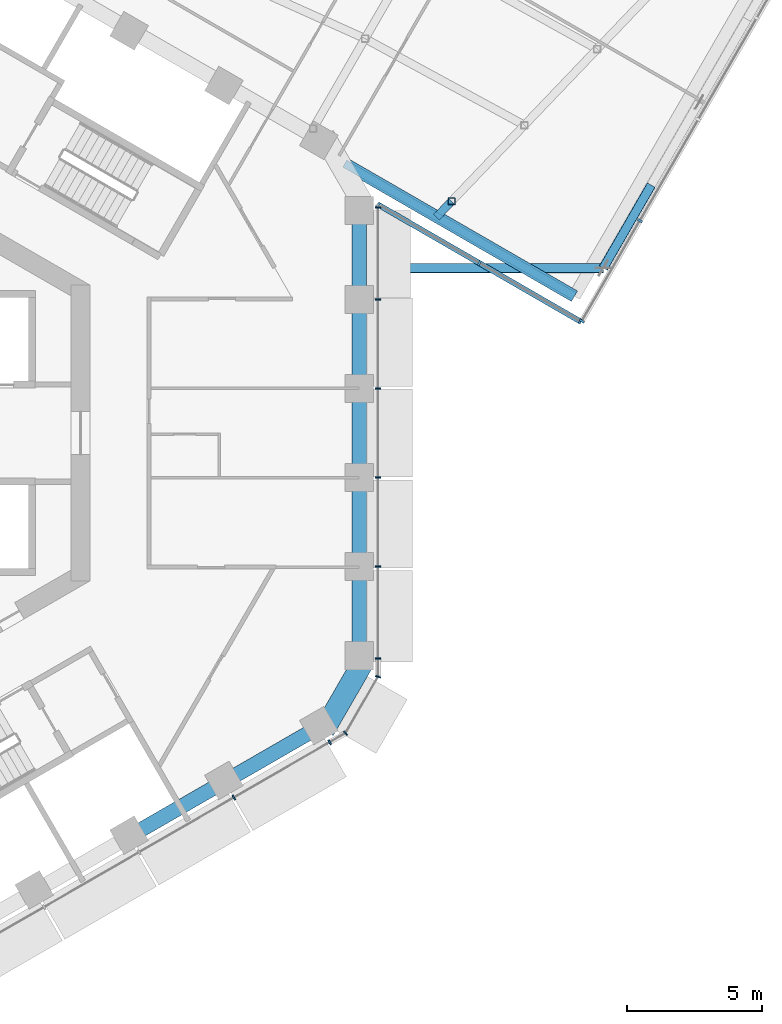
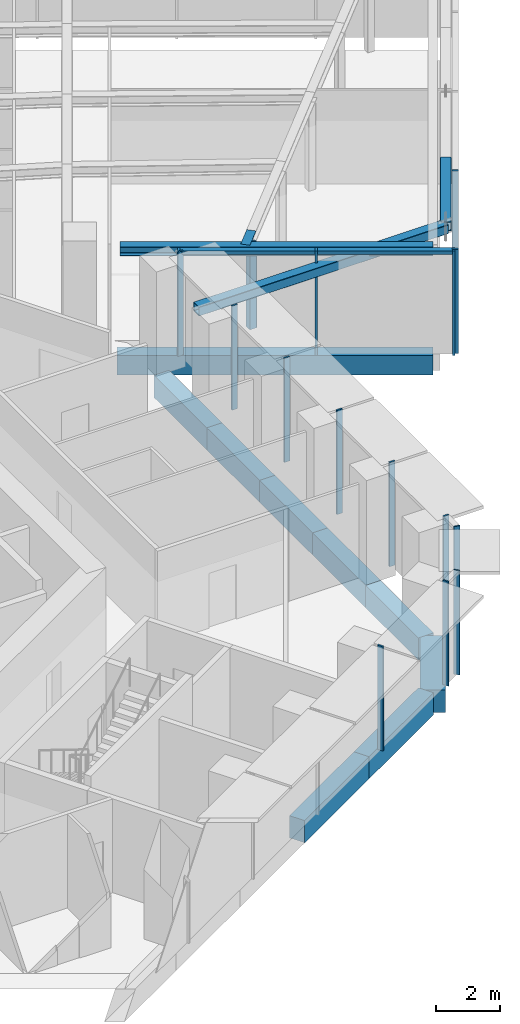
# One storey, part 4 of 28: 19 members, 11 beams, 5 elements without a shape of their own.
"""IFC4 building model written with IfcOpenShell, lengths in metres."""

from ifc_helpers import new_model, si_unit, direction, frame, origin, origin_2d, place, context, subcontext, project, spatial, rectangle, hollow_rectangle, i_section, extrude, material, layer, layer_set, material_profile, profile_set, type_object, element, aggregate, save


model = new_model("IFC4")

# Units and contexts
model_context = context("Model", 3, precision=1e-05, world=origin(), true_north=direction((0.0, 1.0)))
body_context = subcontext(model_context, "Body", "Model", "MODEL_VIEW")
ifc_project = project(units=[si_unit("LENGTHUNIT", "METRE"), si_unit("AREAUNIT", "SQUARE_METRE"), si_unit("VOLUMEUNIT", "CUBIC_METRE"), si_unit("PLANEANGLEUNIT", "RADIAN"), si_unit("MASSUNIT", "GRAM", prefix="KILO")], contexts=[model_context])

# Site, building, storey
site_placement = place(None, origin())
site = spatial("IfcSite", under=ifc_project, at=site_placement, CompositionType="ELEMENT")
building_placement = place(site_placement, origin())
building = spatial("IfcBuilding", under=site, at=building_placement, Name="Ayvan Gate Tower", CompositionType="ELEMENT")
storey_placement = place(building_placement, frame((0.0, 0.0, 143.89990234375)))
storey = spatial("IfcBuildingStorey", under=building, at=storey_placement, Name="L38", CompositionType="ELEMENT", Elevation=143.89990234375)

# Beams
ifc_material_1 = material(Name="Concrete C40/50", Category="concrete")
ifc_material_profile_1 = material_profile(ifc_material_1, rectangle(XDim=0.800048828125, YDim=0.85009765625, at=origin_2d()), Name="RC 800x850")
ifc_profile_set_1 = profile_set([ifc_material_profile_1], Name="Concrete C40/50")
beam_type_1 = type_object("IfcBeamType", Name="Corner spandrel beam RC 800x850 C40/50", PredefinedType="BEAM", material=ifc_profile_set_1)
beam_1_placement = place(storey_placement, frame((18.176025390625, -11.01708984375, -0.824951171875), z_axis=(0.50002537861, 0.866010750942, 0.0), x_axis=(-0.866010750942, 0.50002537861, 0.0)))
element("IfcBeam", 1, at=beam_1_placement, inside=storey, type_object=beam_type_1, Name="SB-L38-36", PredefinedType="BEAM", context=body_context, shape_type="SweptSolid", body=[
    extrude(rectangle(XDim=0.800048828125, YDim=0.85009765625, at=origin_2d()), origin(), (0.0, 0.0, 1.0), 2.999755859375),
])
ifc_material_profile_2 = material_profile(ifc_material_1, rectangle(XDim=0.449951171875, YDim=0.75, at=origin_2d()), Name="RC 450x750")
ifc_profile_set_2 = profile_set([ifc_material_profile_2], Name="Concrete C40/50")
beam_type_2 = type_object("IfcBeamType", Name="Sky bar edge beam RC 450x750 C40/50", PredefinedType="BEAM", material=ifc_profile_set_2)
beam_2_placement = place(storey_placement, frame((27.465087890625, 5.071044921875, -0.77490234375), z_axis=(-0.866025376346, 0.500000047525, 0.0), x_axis=(-0.500000047525, -0.866025376346, 0.0)))
element("IfcBeam", 2, at=beam_2_placement, inside=storey, type_object=beam_type_2, Name="EB-B3-L38-9", PredefinedType="BEAM", context=body_context, shape_type="SweptSolid", body=[
    extrude(rectangle(XDim=0.449951171875, YDim=0.75, at=origin_2d()), origin(), (0.0, 0.0, 1.0), 9.92236328125),
])
ifc_material_2 = material(Name="Steel S460ML", Category="steel")
ifc_material_profile_3 = material_profile(ifc_material_2, i_section(OverallWidth=0.300048828125, OverallDepth=0.39990234375, WebThickness=0.013427734375, FlangeThickness=0.02392578125, FilletRadius=0.027099609375, at=origin_2d()), Name="HE 400 B")
ifc_profile_set_3 = profile_set([ifc_material_profile_3], Name="Steel S460ML")
beam_type_3 = type_object("IfcBeamType", Name="Sky bar roof beam B3 HE 400 B", PredefinedType="BEAM", material=ifc_profile_set_3)
beam_3_placement = place(storey_placement, frame((22.34716796875, 8.0029296875, 3.5), z_axis=(0.691161263928, 0.722700565411, 0.0), x_axis=(-0.722700565411, 0.691161263928, 0.0)))
element("IfcBeam", 3, at=beam_3_placement, inside=storey, type_object=beam_type_3, Name="RB-B3-SBT3-1-1", PredefinedType="BEAM", context=body_context, shape_type="SweptSolid", body=[
    extrude(i_section(OverallWidth=0.300048828125, OverallDepth=0.39990234375, WebThickness=0.013427734375, FlangeThickness=0.02392578125, FilletRadius=0.027099609375, at=origin_2d()), origin(), (0.0, 0.0, 1.0), 0.812744140625),
])
ifc_material_profile_4 = material_profile(ifc_material_2, i_section(OverallWidth=0.300048828125, OverallDepth=0.340087890625, WebThickness=0.011962890625, FlangeThickness=0.021484375, FilletRadius=0.027099609375, at=origin_2d()), Name="HE 340 B")
ifc_profile_set_4 = profile_set([ifc_material_profile_4], Name="Steel S460ML")
beam_type_4 = type_object("IfcBeamType", Name="Sky bar roof edge beam B3 HE 340 B", PredefinedType="BEAM", material=ifc_profile_set_4)
beam_4_placement = place(storey_placement, frame((27.465087890625, 5.071044921875, 3.530029296875), z_axis=(-0.866026823819, 0.499997540419, 0.0), x_axis=(-0.499997540419, -0.866026823819, 0.0)))
element("IfcBeam", 4, at=beam_4_placement, inside=storey, type_object=beam_type_4, Name="RE-B3-1-5", PredefinedType="BEAM", context=body_context, shape_type="SweptSolid", body=[
    extrude(i_section(OverallWidth=0.300048828125, OverallDepth=0.340087890625, WebThickness=0.011962890625, FlangeThickness=0.021484375, FilletRadius=0.027099609375, at=origin_2d()), origin(), (0.0, 0.0, 1.0), 9.83349609375),
])

# Members
ifc_material_3 = material(Name="Steel S460NH", Category="steel")
ifc_material_profile_5 = material_profile(ifc_material_3, hollow_rectangle(XDim=0.260009765625, YDim=0.260009765625, WallThickness=0.012451171875, InnerFilletRadius=0.012451171875, OuterFilletRadius=0.018798828125, at=origin_2d()), Name="RHS 260x260x12.5")
ifc_profile_set_5 = profile_set([ifc_material_profile_5], Name="Steel S460NH")
member_type_1 = type_object("IfcMemberType", Name="Sky bar roof post B3 RHS 260x260x12.5", PredefinedType="POST", material=ifc_profile_set_5)
member_1_placement = place(storey_placement, frame((22.908935546875, 8.59033203125, 0.0), z_axis=(0.0, 0.0, 1.0), x_axis=(1.0, 0.0, 0.0)))
element("IfcMember", 5, at=member_1_placement, inside=storey, type_object=member_type_1, Name="RP-B3-SBT3-1-1", PredefinedType="POST", context=body_context, shape_type="SweptSolid", body=[
    extrude(hollow_rectangle(XDim=0.260009765625, YDim=0.260009765625, WallThickness=0.012451171875, InnerFilletRadius=0.012451171875, OuterFilletRadius=0.018798828125, at=origin_2d()), origin(), (0.0, 0.0, 1.0), 3.300048828125),
])
ifc_material_profile_6 = material_profile(ifc_material_3, hollow_rectangle(XDim=0.35009765625, YDim=0.35009765625, WallThickness=0.01611328125, InnerFilletRadius=0.01611328125, OuterFilletRadius=0.02392578125, at=origin_2d()), Name="RHS 350x350x16")
ifc_profile_set_6 = profile_set([ifc_material_profile_6], Name="Steel S460NH")
member_type_2 = type_object("IfcMemberType", Name="Sky bar truss brace B3 RHS 350x350x16", PredefinedType="BRACE", material=ifc_profile_set_6)
member_2_placement = place(storey_placement, frame((19.485595703125, 6.115478515625, 3.375), z_axis=(1.0, 0.0, 0.0), x_axis=(0.0, 1.0, 0.0)))
element("IfcMember", 6, at=member_2_placement, inside=storey, type_object=member_type_2, Name="SBX3-B-TC-1", PredefinedType="CHORD", context=body_context, shape_type="SweptSolid", body=[
    extrude(hollow_rectangle(XDim=0.35009765625, YDim=0.35009765625, WallThickness=0.01611328125, InnerFilletRadius=0.01611328125, OuterFilletRadius=0.02392578125, at=origin_2d()), origin(), (0.0, 0.0, 1.0), 9.050048828125),
])
member_3_placement = place(storey_placement, frame((28.53564453125, 6.115478515625, 3.375), z_axis=(0.500051858269, 0.865995461329, 0.0), x_axis=(-0.865995461329, 0.500051858269, 0.0)))
element("IfcMember", 7, at=member_3_placement, inside=storey, type_object=member_type_2, Name="SBX3-B-TC-2", PredefinedType="CHORD", context=body_context, shape_type="SweptSolid", body=[
    extrude(hollow_rectangle(XDim=0.35009765625, YDim=0.35009765625, WallThickness=0.01611328125, InnerFilletRadius=0.01611328125, OuterFilletRadius=0.02392578125, at=origin_2d()), origin(), (0.0, 0.0, 1.0), 3.5498046875),
])

# Beams
ifc_material_profile_7 = material_profile(ifc_material_1, rectangle(XDim=0.550048828125, YDim=0.85009765625, at=origin_2d()), Name="RC 550x850")
ifc_profile_set_7 = profile_set([ifc_material_profile_7], Name="Concrete C40/50")
beam_type_5 = type_object("IfcBeamType", Name="Spandrel beam RC 550x850 C40/50", PredefinedType="BEAM", material=ifc_profile_set_7)
beam_5_placement = place(storey_placement, frame((19.485595703125, -8.30908203125, -0.824951171875), z_axis=(0.0, 1.0, 0.0), x_axis=(-1.0, 0.0, 0.0)))
element("IfcBeam", 8, at=beam_5_placement, inside=storey, type_object=beam_type_5, Name="SB-L38-1", PredefinedType="BEAM", context=body_context, shape_type="SweptSolid", body=[
    extrude(rectangle(XDim=0.550048828125, YDim=0.85009765625, at=origin_2d()), origin(), (0.0, 0.0, 1.0), 3.323486328125),
])
for number, where, z_axis, x_axis, name in (
    (9, (19.485595703125, -4.985595703125, -0.824951171875), (0.0, 1.0, 0.0), (-1.0, 0.0, 0.0), "SB-L38-2"),
    (10, (19.485595703125, -1.661865234375, -0.824951171875), (0.0, 1.0, 0.0), (-1.0, 0.0, 0.0), "SB-L38-3"),
    (11, (19.485595703125, 1.661865234375, -0.824951171875), (0.0, 1.0, 0.0), (-1.0, 0.0, 0.0), "SB-L38-4"),
):
    element("IfcBeam", number, at=place(storey_placement, frame(where, z_axis=z_axis, x_axis=x_axis)), inside=storey, type_object=beam_type_5, Name=name, PredefinedType="BEAM", context=body_context, shape_type="SweptSolid", body=[
        extrude(rectangle(XDim=0.550048828125, YDim=0.85009765625, at=origin_2d()), origin(), (0.0, 0.0, 1.0), 3.32373046875),
    ])
beam_6_placement = place(storey_placement, frame((19.485595703125, 4.985595703125, -0.824951171875), z_axis=(0.0, 1.0, 0.0), x_axis=(-1.0, 0.0, 0.0)))
element("IfcBeam", 12, at=beam_6_placement, inside=storey, type_object=beam_type_5, Name="SB-L38-5", PredefinedType="BEAM", context=body_context, shape_type="SweptSolid", body=[
    extrude(rectangle(XDim=0.550048828125, YDim=0.85009765625, at=origin_2d()), origin(), (0.0, 0.0, 1.0), 3.323486328125),
])
beam_7_placement = place(storey_placement, frame((10.97265625, -14.9560546875, -0.824951171875), z_axis=(0.866022911947, 0.500004315964, 0.0), x_axis=(-0.500004315964, 0.866022911947, 0.0)))
element("IfcBeam", 13, at=beam_7_placement, inside=storey, type_object=beam_type_5, Name="SB-L38-34", PredefinedType="BEAM", context=body_context, shape_type="SweptSolid", body=[
    extrude(rectangle(XDim=0.550048828125, YDim=0.85009765625, at=origin_2d()), origin(), (0.0, 0.0, 1.0), 4.048828125),
])
beam_8_placement = place(storey_placement, frame((14.47900390625, -12.931640625, -0.824951171875), z_axis=(0.866037985928, 0.499978206455, 0.0), x_axis=(-0.499978206455, 0.866037985928, 0.0)))
element("IfcBeam", 14, at=beam_8_placement, inside=storey, type_object=beam_type_5, Name="SB-L38-35", PredefinedType="BEAM", context=body_context, shape_type="SweptSolid", body=[
    extrude(rectangle(XDim=0.550048828125, YDim=0.85009765625, at=origin_2d()), origin(), (0.0, 0.0, 1.0), 4.049072265625),
])

# Curtain wall, members
ifc_material_4 = material(Name="Bronze anodised aluminium", Category="aluminium")
ifc_layer_1 = layer(ifc_material_4, 0.199951171875)
ifc_layer_set_1 = layer_set([ifc_layer_1], Name="Bronze anodised aluminium")
curtain_wall_type_1 = type_object("IfcCurtainWallType", Name="Stick curtain wall CW-1", PredefinedType="NOTDEFINED", material=ifc_layer_set_1)
curtain_wall_1_placement = place(storey_placement, origin())
curtain_wall_1 = element("IfcCurtainWall", 15, at=curtain_wall_1_placement, inside=storey, type_object=curtain_wall_type_1, Name="Stick curtain wall CW-1 L38", PredefinedType="NOTDEFINED")
ifc_material_profile_8 = material_profile(ifc_material_4, rectangle(XDim=0.199951171875, YDim=0.06005859375, at=origin_2d()), Name="Stick curtain wall CW-1 mullion 200 x 60")
ifc_profile_set_8 = profile_set([ifc_material_profile_8], Name="Bronze anodised aluminium")
member_type_3 = type_object("IfcMemberType", Name="Stick curtain wall CW-1 mullion 200 x 60", PredefinedType="MULLION", material=ifc_profile_set_8)
member_4_placement = place(storey_placement, frame((14.83642578125, -13.51708984375, 0.0), z_axis=(0.0, 0.0, 1.0), x_axis=(0.5, -0.866025403784, 0.0)))
member_4 = element("IfcMember", 16, at=member_4_placement, type_object=member_type_3, Name="CW-1 mullion 5", PredefinedType="MULLION", context=body_context, shape_type="SweptSolid", body=[
    extrude(rectangle(XDim=0.199951171875, YDim=0.06005859375, at=origin_2d()), origin(), (0.0, 0.0, 1.0), 4.0),
])
member_5_placement = place(storey_placement, frame((18.389404296875, -11.4658203125, 0.0), z_axis=(0.0, 0.0, 1.0), x_axis=(0.5, -0.866025403784, 0.0)))
member_5 = element("IfcMember", 17, at=member_5_placement, type_object=member_type_3, Name="CW-1 mullion 6", PredefinedType="MULLION", context=body_context, shape_type="SweptSolid", body=[
    extrude(rectangle(XDim=0.199951171875, YDim=0.06005859375, at=origin_2d()), origin(), (0.0, 0.0, 1.0), 4.0),
])
aggregate(curtain_wall_1, [member_4, member_5])

curtain_wall_2_placement = place(storey_placement, origin())
curtain_wall_2 = element("IfcCurtainWall", 18, at=curtain_wall_2_placement, inside=storey, type_object=curtain_wall_type_1, Name="Stick curtain wall CW-1 L38", PredefinedType="NOTDEFINED")
member_6_placement = place(storey_placement, frame((20.185546875, -8.354736328125, 0.0), z_axis=(0.0, 0.0, 1.0), x_axis=(1.0, 0.0, 0.0)))
member_6 = element("IfcMember", 19, at=member_6_placement, type_object=member_type_3, Name="CW-1 mullion 1", PredefinedType="MULLION", context=body_context, shape_type="SweptSolid", body=[
    extrude(rectangle(XDim=0.199951171875, YDim=0.06005859375, at=origin_2d()), origin(), (0.0, 0.0, 1.0), 4.0),
])
member_7_placement = place(storey_placement, frame((20.185546875, -4.95166015625, 0.0), z_axis=(0.0, 0.0, 1.0), x_axis=(1.0, 0.0, 0.0)))
member_7 = element("IfcMember", 20, at=member_7_placement, type_object=member_type_3, Name="CW-1 mullion 2", PredefinedType="MULLION", context=body_context, shape_type="SweptSolid", body=[
    extrude(rectangle(XDim=0.199951171875, YDim=0.06005859375, at=origin_2d()), origin(), (0.0, 0.0, 1.0), 4.0),
])
member_8_placement = place(storey_placement, frame((20.185546875, -1.650634765625, 0.0), z_axis=(0.0, 0.0, 1.0), x_axis=(1.0, 0.0, 0.0)))
member_8 = element("IfcMember", 21, at=member_8_placement, type_object=member_type_3, Name="CW-1 mullion 3", PredefinedType="MULLION", context=body_context, shape_type="SweptSolid", body=[
    extrude(rectangle(XDim=0.199951171875, YDim=0.06005859375, at=origin_2d()), origin(), (0.0, 0.0, 1.0), 4.0),
])
member_9_placement = place(storey_placement, frame((20.185546875, 1.650390625, 0.0), z_axis=(0.0, 0.0, 1.0), x_axis=(1.0, 0.0, 0.0)))
member_9 = element("IfcMember", 22, at=member_9_placement, type_object=member_type_3, Name="CW-1 mullion 4", PredefinedType="MULLION", context=body_context, shape_type="SweptSolid", body=[
    extrude(rectangle(XDim=0.199951171875, YDim=0.06005859375, at=origin_2d()), origin(), (0.0, 0.0, 1.0), 4.0),
])
member_10_placement = place(storey_placement, frame((20.185546875, 4.951416015625, 0.0), z_axis=(0.0, 0.0, 1.0), x_axis=(1.0, 0.0, 0.0)))
member_10 = element("IfcMember", 23, at=member_10_placement, type_object=member_type_3, Name="CW-1 mullion 5", PredefinedType="MULLION", context=body_context, shape_type="SweptSolid", body=[
    extrude(rectangle(XDim=0.199951171875, YDim=0.06005859375, at=origin_2d()), origin(), (0.0, 0.0, 1.0), 4.0),
])
member_11_placement = place(storey_placement, frame((20.185546875, 8.354736328125, 0.0), z_axis=(0.0, 0.0, 1.0), x_axis=(1.0, 0.0, 0.0)))
member_11 = element("IfcMember", 24, at=member_11_placement, type_object=member_type_3, Name="CW-1 mullion 6", PredefinedType="MULLION", context=body_context, shape_type="SweptSolid", body=[
    extrude(rectangle(XDim=0.199951171875, YDim=0.06005859375, at=origin_2d()), origin(), (0.0, 0.0, 1.0), 4.0),
])
aggregate(curtain_wall_2, [member_6, member_7, member_8, member_9, member_10, member_11])

ifc_layer_2 = layer(ifc_material_4, 0.199951171875)
ifc_layer_set_2 = layer_set([ifc_layer_2], Name="Bronze anodised aluminium")
curtain_wall_type_2 = type_object("IfcCurtainWallType", Name="Stick curtain wall CW-4", PredefinedType="NOTDEFINED", material=ifc_layer_set_2)
curtain_wall_3_placement = place(storey_placement, origin())
curtain_wall_3 = element("IfcCurtainWall", 25, at=curtain_wall_3_placement, inside=storey, type_object=curtain_wall_type_2, Name="Stick curtain wall CW-4 L38", PredefinedType="NOTDEFINED")
ifc_material_profile_9 = material_profile(ifc_material_4, rectangle(XDim=0.199951171875, YDim=0.080078125, at=origin_2d()), Name="Stick curtain wall CW-4 mullion 200 x 80")
ifc_profile_set_9 = profile_set([ifc_material_profile_9], Name="Bronze anodised aluminium")
member_type_4 = type_object("IfcMemberType", Name="Stick curtain wall CW-4 mullion 200 x 80", PredefinedType="MULLION", material=ifc_profile_set_9)
member_12_placement = place(storey_placement, frame((20.194580078125, 8.46044921875, 0.0), z_axis=(0.0, 0.0, 1.0), x_axis=(-0.5, -0.866025403784, 0.0)))
member_12 = element("IfcMember", 26, at=member_12_placement, type_object=member_type_4, Name="CW-4 mullion 1", PredefinedType="MULLION", context=body_context, shape_type="SweptSolid", body=[
    extrude(rectangle(XDim=0.199951171875, YDim=0.080078125, at=origin_2d()), origin(), (0.0, 0.0, 1.0), 4.0),
])
member_13_placement = place(storey_placement, frame((23.940673828125, 6.297607421875, 0.0), z_axis=(0.0, 0.0, 1.0), x_axis=(-0.5, -0.866025403784, 0.0)))
member_13 = element("IfcMember", 27, at=member_13_placement, type_object=member_type_4, Name="CW-4 mullion 2", PredefinedType="MULLION", context=body_context, shape_type="SweptSolid", body=[
    extrude(rectangle(XDim=0.199951171875, YDim=0.080078125, at=origin_2d()), origin(), (0.0, 0.0, 1.0), 4.0),
])
member_14_placement = place(storey_placement, frame((27.686767578125, 4.135009765625, 0.0), z_axis=(0.0, 0.0, 1.0), x_axis=(-0.5, -0.866025403784, 0.0)))
member_14 = element("IfcMember", 28, at=member_14_placement, type_object=member_type_4, Name="CW-4 mullion 3", PredefinedType="MULLION", context=body_context, shape_type="SweptSolid", body=[
    extrude(rectangle(XDim=0.199951171875, YDim=0.080078125, at=origin_2d()), origin(), (0.0, 0.0, 1.0), 4.0),
])

curtain_wall_4_placement = place(storey_placement, origin())
curtain_wall_4 = element("IfcCurtainWall", 29, at=curtain_wall_4_placement, inside=storey, type_object=curtain_wall_type_2, Name="Stick curtain wall CW-4 L38", PredefinedType="NOTDEFINED")
member_15_placement = place(storey_placement, frame((27.741455078125, 4.1494140625, 0.0), z_axis=(0.0, 0.0, 1.0), x_axis=(0.866025403784, -0.5, 0.0)))
member_15 = element("IfcMember", 30, at=member_15_placement, type_object=member_type_4, Name="CW-4 mullion 1", PredefinedType="MULLION", context=body_context, shape_type="SweptSolid", body=[
    extrude(rectangle(XDim=0.199951171875, YDim=0.080078125, at=origin_2d()), origin(), (0.0, 0.0, 1.0), 4.0),
])
member_16_placement = place(storey_placement, frame((29.888916015625, 7.869140625, 0.0), z_axis=(0.0, 0.0, 1.0), x_axis=(0.866025403784, -0.5, 0.0)))
member_16 = element("IfcMember", 31, at=member_16_placement, type_object=member_type_4, Name="CW-4 mullion 2", PredefinedType="MULLION", context=body_context, shape_type="SweptSolid", body=[
    extrude(rectangle(XDim=0.199951171875, YDim=0.080078125, at=origin_2d()), origin(), (0.0, 0.0, 1.0), 4.0),
])
aggregate(curtain_wall_4, [member_15, member_16])

# Member
ifc_material_profile_10 = material_profile(ifc_material_4, rectangle(XDim=0.199951171875, YDim=0.139892578125, at=origin_2d()), Name="Stick curtain wall CW-4 transom 200 x 140")
ifc_profile_set_10 = profile_set([ifc_material_profile_10], Name="Bronze anodised aluminium")
member_type_5 = type_object("IfcMemberType", Name="Stick curtain wall CW-4 transom 200 x 140", PredefinedType="USERDEFINED", material=ifc_profile_set_10)
member_17_placement = place(storey_placement, frame((20.194580078125, 8.46044921875, 3.93017578125), z_axis=(0.866034263809, -0.499984653673, 0.0), x_axis=(0.499984653673, 0.866034263809, 0.0)))
member_17 = element("IfcMember", 32, at=member_17_placement, type_object=member_type_5, Name="CW-4 transom 1", ObjectType="TRANSOM", PredefinedType="USERDEFINED", context=body_context, shape_type="SweptSolid", body=[
    extrude(rectangle(XDim=0.199951171875, YDim=0.139892578125, at=origin_2d()), origin(), (0.0, 0.0, 1.0), 8.651123046875),
])

aggregate(curtain_wall_3, [member_12, member_13, member_14, member_17])

# Curtain wall, members
ifc_layer_3 = layer(ifc_material_4, 0.199951171875)
ifc_layer_set_3 = layer_set([ifc_layer_3], Name="Bronze anodised aluminium")
curtain_wall_type_3 = type_object("IfcCurtainWallType", Name="Stick curtain wall CW-6", PredefinedType="NOTDEFINED", material=ifc_layer_set_3)
curtain_wall_5_placement = place(storey_placement, origin())
curtain_wall_5 = element("IfcCurtainWall", 33, at=curtain_wall_5_placement, inside=storey, type_object=curtain_wall_type_3, Name="Stick curtain wall CW-6 L38", PredefinedType="NOTDEFINED")
ifc_material_profile_11 = material_profile(ifc_material_4, rectangle(XDim=0.199951171875, YDim=0.050048828125, at=origin_2d()), Name="Stick curtain wall CW-6 mullion 200 x 50")
ifc_profile_set_11 = profile_set([ifc_material_profile_11], Name="Bronze anodised aluminium")
member_type_6 = type_object("IfcMemberType", Name="Stick curtain wall CW-6 mullion 200 x 50", PredefinedType="MULLION", material=ifc_profile_set_11)
member_18_placement = place(storey_placement, frame((18.978271484375, -11.125732421875, 0.0), z_axis=(0.0, 0.0, 1.0), x_axis=(0.707106781187, -0.707106781187, 0.0)))
member_18 = element("IfcMember", 34, at=member_18_placement, type_object=member_type_6, Name="CW-6 mullion 2", PredefinedType="MULLION", context=body_context, shape_type="SweptSolid", body=[
    extrude(rectangle(XDim=0.199951171875, YDim=0.050048828125, at=origin_2d()), origin(), (0.0, 0.0, 1.0), 4.0),
])
member_19_placement = place(storey_placement, frame((20.185546875, -9.03466796875, 0.0), z_axis=(0.0, 0.0, 1.0), x_axis=(0.965925826289, -0.258819045103, 0.0)))
member_19 = element("IfcMember", 35, at=member_19_placement, type_object=member_type_6, Name="CW-6 mullion 3", PredefinedType="MULLION", context=body_context, shape_type="SweptSolid", body=[
    extrude(rectangle(XDim=0.199951171875, YDim=0.050048828125, at=origin_2d()), origin(), (0.0, 0.0, 1.0), 4.0),
])
aggregate(curtain_wall_5, [member_18, member_19])

save(model, "model.ifc")
